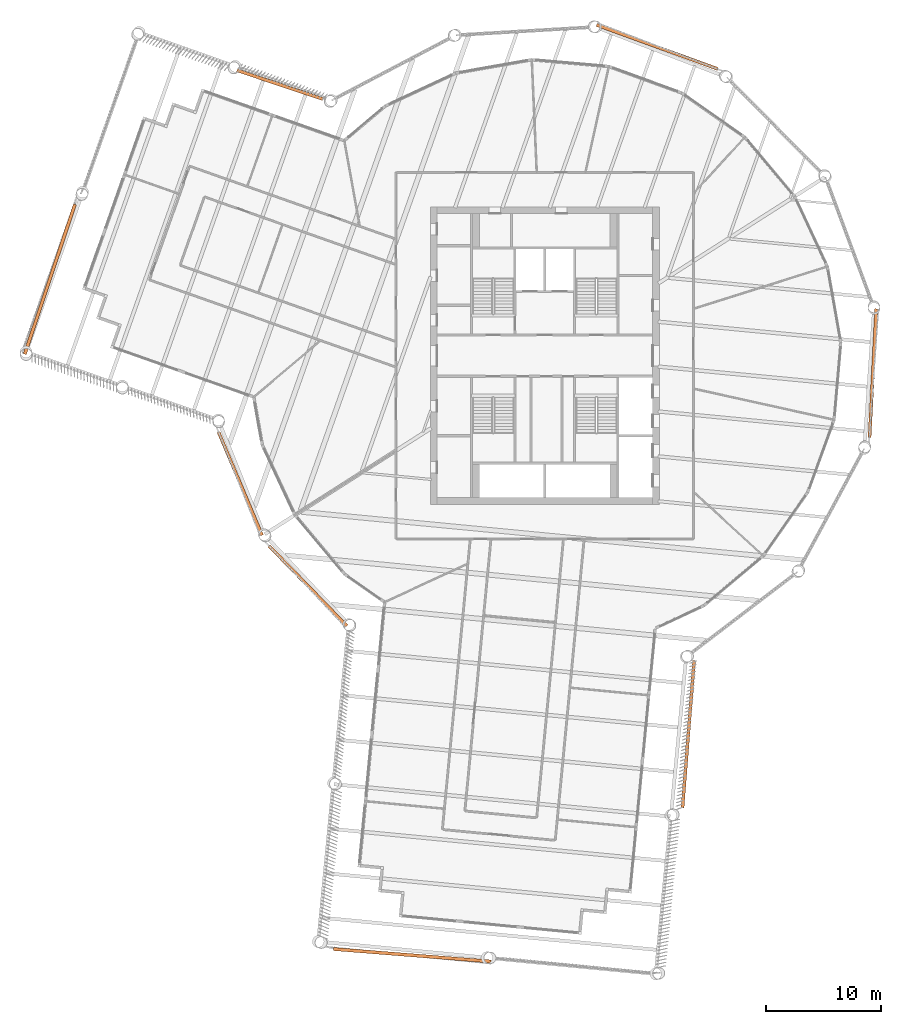
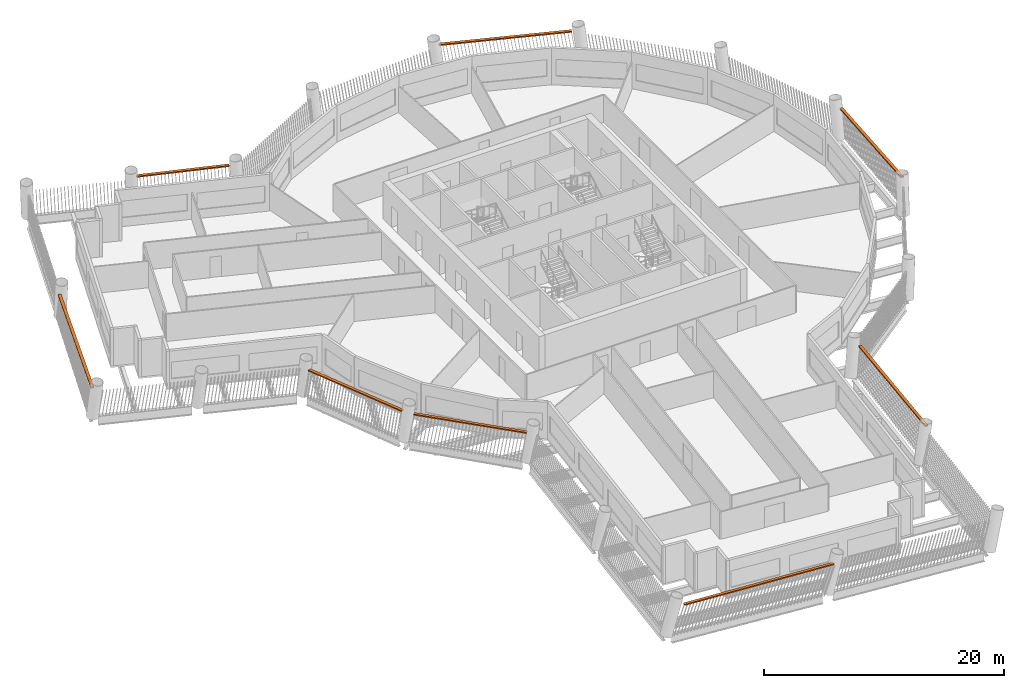
# One storey, part 15 of 15: 8 proxies.
"""IFC4 building model written with IfcOpenShell, lengths in metres."""

import ifcopenshell
import ifcopenshell.guid

model = None  # the IFC model being written
_history = None  # IfcOwnerHistory: only IFC2X3 demands one
_inside = {}  # id of a spatial element -> (the spatial element, [elements in it])
_under = {}  # id of a project, library or spatial element -> (it, [spatial elements below it])
_declared = {}  # id of a project -> (the project, [libraries it declares])
_typed = {}  # id of a type object -> (the type object, [elements of that type])
_made_of = {}  # id of a material, layer set ... -> (it, [elements and type objects made of it])


def new_model(schema):
    """Start an empty IFC model of exactly this schema.

    Asked for "IFC4X3", IfcOpenShell would pick the latest addendum, in which some entities
    have other attributes; the version numbers below select the first issue.
    IFC2X3 requires an IfcOwnerHistory on every rooted entity: one is made here for all.
    """
    global model, _history
    if schema == "IFC4X3":
        model = ifcopenshell.file(schema_version=(4, 3, 0, 0))
    else:
        model = ifcopenshell.file(schema=schema)
    _inside.clear()
    _under.clear()
    _declared.clear()
    _typed.clear()
    _made_of.clear()
    _history = None
    if model.schema == "IFC2X3":
        org = make("IfcOrganization", Name="unknown")
        user = make(
            "IfcPersonAndOrganization",
            ThePerson=make("IfcPerson", FamilyName="unknown"),
            TheOrganization=org,
        )
        app = make(
            "IfcApplication",
            ApplicationDeveloper=org,
            Version="unknown",
            ApplicationFullName="unknown",
            ApplicationIdentifier="unknown",
        )
        _history = make(
            "IfcOwnerHistory",
            OwningUser=user,
            OwningApplication=app,
            ChangeAction="ADDED",
            CreationDate=0,
        )
    return model


def make(cls, **values):
    """One entity of the class cls with the attributes given. An attribute that is None is left unset."""
    return model.create_entity(
        cls, **{name: value for name, value in values.items() if value is not None}
    )


def rooted(cls, **values):
    """An entity with a GlobalId (a new one), such as an element, a storey or a relation."""
    return make(cls, GlobalId=ifcopenshell.guid.new(), OwnerHistory=_history, **values)


def si_unit(unit_type, name, prefix=None):
    """IfcSIUnit, for example si_unit("LENGTHUNIT", "METRE", prefix="MILLI")."""
    return make("IfcSIUnit", UnitType=unit_type, Prefix=prefix, Name=name)


def assignment(units):
    """IfcUnitAssignment: the units of a project."""
    return None if units is None else make("IfcUnitAssignment", Units=units)


def point(xyz):
    """IfcCartesianPoint."""
    return None if xyz is None else make("IfcCartesianPoint", Coordinates=xyz)


def direction(xyz):
    """IfcDirection."""
    return None if xyz is None else make("IfcDirection", DirectionRatios=xyz)


def frame(location, z_axis=None, x_axis=None):
    """IfcAxis2Placement3D, a coordinate frame: its origin and axes. An axis left out is left unset."""
    return make(
        "IfcAxis2Placement3D",
        Location=point(location),
        Axis=direction(z_axis),
        RefDirection=direction(x_axis),
    )


def frame_2d(location, x_axis=None):
    """IfcAxis2Placement2D, a coordinate frame in the plane: its origin and x axis."""
    return make(
        "IfcAxis2Placement2D", Location=point(location), RefDirection=direction(x_axis)
    )


def origin():
    """The frame at (0, 0, 0) with its axes left unset."""
    return frame((0.0, 0.0, 0.0))


def origin_2d():
    """The frame at (0, 0) in the plane with its x axis left unset."""
    return frame_2d((0.0, 0.0))


def place(relative_to, where):
    """IfcLocalPlacement: puts the frame where relative to a parent placement (None: the world)."""
    return make(
        "IfcLocalPlacement", PlacementRelTo=relative_to, RelativePlacement=where
    )


def context(
    kind, dimensions, precision=None, world=None, true_north=None, identifier=None
):
    """IfcGeometricRepresentationContext, for example the 3D "Model" context."""
    return make(
        "IfcGeometricRepresentationContext",
        ContextIdentifier=identifier,
        ContextType=kind,
        CoordinateSpaceDimension=dimensions,
        Precision=precision,
        WorldCoordinateSystem=world,
        TrueNorth=true_north,
    )


def subcontext(parent, identifier, kind, view, scale=None):
    """IfcGeometricRepresentationSubContext, for example "Body" below "Model"."""
    return make(
        "IfcGeometricRepresentationSubContext",
        ContextIdentifier=identifier,
        ContextType=kind,
        ParentContext=parent,
        TargetScale=scale,
        TargetView=view,
    )


def project(units=None, contexts=None):
    """IfcProject with its units and contexts."""
    return rooted(
        "IfcProject",
        Name="project",
        RepresentationContexts=contexts,
        UnitsInContext=assignment(units),
    )


def spatial(cls, under=None, at=None, **own):
    """A site, building, storey or space (cls), placed at a placement, below another one or the project."""
    s = rooted(cls, ObjectPlacement=at, **own)
    if under is not None:
        _under.setdefault(under.id(), (under, []))[1].append(s)
    return s


def profile(cls, at=None, kind="AREA", **sizes):
    """A parametric profile (cls). Its sizes go by their IFC names, for example OverallWidth=200.0."""
    return make(cls, ProfileType=kind, Position=at, **sizes)


def rectangle(**sizes):
    """IfcRectangleProfileDef."""
    return profile("IfcRectangleProfileDef", **sizes)


def extrude(swept, where, along, depth):
    """IfcExtrudedAreaSolid: the profile swept, set in the frame where, extruded along a direction by depth."""
    return make(
        "IfcExtrudedAreaSolid",
        SweptArea=swept,
        Position=where,
        ExtrudedDirection=direction(along),
        Depth=depth,
    )


def shape(context_of_items, identifier, shape_type, items):
    """IfcShapeRepresentation: the items that make up one representation, for example the "Body"."""
    return make(
        "IfcShapeRepresentation",
        ContextOfItems=context_of_items,
        RepresentationIdentifier=identifier,
        RepresentationType=shape_type,
        Items=items,
    )


def material(Name=None, Category=None):
    """IfcMaterial."""
    return make("IfcMaterial", Name=Name, Category=Category)


def made_of(thing, what):
    """Note that an element or type object is made of a material, layer set ...; save() writes the relation."""
    if what is not None:
        _made_of.setdefault(what.id(), (what, []))[1].append(thing)
    return thing


def type_object(cls, material=None, **own):
    """A type object (cls), such as IfcWallType, which elements share."""
    return made_of(rooted(cls, **own), material)


def element(
    cls,
    number,
    at=None,
    inside=None,
    cuts=None,
    type_object=None,
    material=None,
    context=None,
    identifier="Body",
    shape_type=None,
    held_by="IfcProductDefinitionShape",
    body=None,
    shapes=None,
    **own,
):
    """One element of the class cls, such as IfcWall. Its Tag is "e" and its number.

    at: its placement. inside: the storey or other place that contains it. cuts: it is an
    opening in that element (IfcRelVoidsElement). A single representation is given by context,
    identifier, shape_type and body (its items); several are given by shapes. held_by: the class
    of the entity that holds the representations. save() writes the other relations.
    """
    e = rooted(cls, Tag="e%d" % number, ObjectPlacement=at, **own)
    if body is not None:
        shapes = [shape(context, identifier, shape_type, body)]
    if shapes is not None:
        e.Representation = make(held_by, Representations=shapes)
    if inside is not None:
        _inside.setdefault(inside.id(), (inside, []))[1].append(e)
    if cuts is not None:
        rooted(
            "IfcRelVoidsElement", RelatingBuildingElement=cuts, RelatedOpeningElement=e
        )
    if type_object is not None:
        _typed.setdefault(type_object.id(), (type_object, []))[1].append(e)
    return made_of(e, material)


def aggregate(whole, parts):
    """IfcRelAggregates: a whole, such as a stair, and the parts it consists of."""
    return rooted("IfcRelAggregates", RelatingObject=whole, RelatedObjects=parts)


def save(model, path):
    """Write the relations noted so far, then the file.

    IfcRelAggregates (storeys below a building ...), IfcRelContainedInSpatialStructure (elements
    in a storey), IfcRelDefinesByType, IfcRelAssociatesMaterial and IfcRelDeclares: one each for
    every whole, place, type object, material and project.
    """
    for whole, parts in _under.values():
        aggregate(whole, parts)
    for where, things in _inside.values():
        rooted(
            "IfcRelContainedInSpatialStructure",
            RelatedElements=things,
            RelatingStructure=where,
        )
    for kind, things in _typed.values():
        rooted("IfcRelDefinesByType", RelatedObjects=things, RelatingType=kind)
    for what, things in _made_of.values():
        rooted("IfcRelAssociatesMaterial", RelatedObjects=things, RelatingMaterial=what)
    for by, libraries in _declared.values():
        rooted("IfcRelDeclares", RelatingContext=by, RelatedDefinitions=libraries)
    model.write(path)


model = new_model("IFC4")

# Units and contexts
model_context = context("Model", 3, precision=1e-05, world=origin(), true_north=direction((0.0, 1.0)))
body_context = subcontext(model_context, "Body", "Model", "MODEL_VIEW")
ifc_project = project(units=[si_unit("LENGTHUNIT", "METRE"), si_unit("AREAUNIT", "SQUARE_METRE"), si_unit("VOLUMEUNIT", "CUBIC_METRE"), si_unit("PLANEANGLEUNIT", "RADIAN"), si_unit("MASSUNIT", "GRAM", prefix="KILO")], contexts=[model_context])

# Site, building, storey
site_placement = place(None, origin())
site = spatial("IfcSite", under=ifc_project, at=site_placement, CompositionType="ELEMENT")
building_placement = place(site_placement, origin())
building = spatial("IfcBuilding", under=site, at=building_placement, Name="Tarsis Ring Headquarters", CompositionType="ELEMENT")
storey_placement = place(building_placement, frame((0.0, 0.0, 204.300048828125)))
storey = spatial("IfcBuildingStorey", under=building, at=storey_placement, Name="L47", CompositionType="ELEMENT", Elevation=204.300048828125)

# Proxies
ifc_material = material(Name="Structural steel S355", Category="steel")
building_element_proxy_type = type_object("IfcBuildingElementProxyType", Name="Screen bracket plate", PredefinedType="USERDEFINED", material=ifc_material)
proxy_1_placement = place(storey_placement, frame((-20.687744140625, -20.093505859375, 2.949951171875), z_axis=(0.0, 0.0, 1.0), x_axis=(0.696726836719, -0.717336542354, 0.0)))
element("IfcBuildingElementProxy", 1, at=proxy_1_placement, inside=storey, type_object=building_element_proxy_type, Name="Screen bracket L47-00", ObjectType="Bracket", PredefinedType="USERDEFINED", context=body_context, shape_type="SweptSolid", body=[
    extrude(rectangle(XDim=9.771728515625, YDim=0.280029296875, at=origin_2d()), origin(), (0.0, 0.0, 1.0), 0.1201171875),
])
proxy_2_placement = place(storey_placement, frame((-11.561279296875, -52.3466796875, 2.949951171875), z_axis=(0.0, 0.0, 1.0), x_axis=(0.996889884232, -0.078807098137, 0.0)))
element("IfcBuildingElementProxy", 2, at=proxy_2_placement, inside=storey, type_object=building_element_proxy_type, Name="Screen bracket L47-03", ObjectType="Bracket", PredefinedType="USERDEFINED", context=body_context, shape_type="SweptSolid", body=[
    extrude(rectangle(XDim=13.800048828125, YDim=0.280029296875, at=origin_2d()), origin(), (0.0, 0.0, 1.0), 0.1201171875),
])
proxy_3_placement = place(storey_placement, frame((12.530517578125, -33.036865234375, 2.949951171875), z_axis=(0.0, 0.0, 1.0), x_axis=(0.078807167733, 0.99688987873, 0.0)))
element("IfcBuildingElementProxy", 3, at=proxy_3_placement, inside=storey, type_object=building_element_proxy_type, Name="Screen bracket L47-06", ObjectType="Bracket", PredefinedType="USERDEFINED", context=body_context, shape_type="SweptSolid", body=[
    extrude(rectangle(XDim=12.90234375, YDim=0.280029296875, at=origin_2d()), origin(), (0.0, 0.0, 1.0), 0.1201171875),
])
for number, where, z_axis, x_axis, name in (
    (4, (28.650390625, -1.518310546875, 2.949951171875), (0.0, 0.0, 1.0), (0.052924014193, 0.998598542319, 0.0), "Screen bracket L47-09"),
    (5, (9.815673828125, 26.959228515625, 2.949951171875), (0.0, 0.0, 1.0), (-0.939655264787, 0.342122760655, 0.0), "Screen bracket L47-12"),
):
    element("IfcBuildingElementProxy", number, at=place(storey_placement, frame(where, z_axis=z_axis, x_axis=x_axis)), inside=storey, type_object=building_element_proxy_type, Name=name, ObjectType="Bracket", PredefinedType="USERDEFINED", context=body_context, shape_type="SweptSolid", body=[
        extrude(rectangle(XDim=11.248779296875, YDim=0.280029296875, at=origin_2d()), origin(), (0.0, 0.0, 1.0), 0.1201171875),
    ])
proxy_4_placement = place(storey_placement, frame((-23.126953125, 23.66650390625, 2.949951171875), z_axis=(0.0, 0.0, 1.0), x_axis=(-0.948212887108, 0.317635515525, 0.0)))
element("IfcBuildingElementProxy", 6, at=proxy_4_placement, inside=storey, type_object=building_element_proxy_type, Name="Screen bracket L47-15", ObjectType="Bracket", PredefinedType="USERDEFINED", context=body_context, shape_type="SweptSolid", body=[
    extrude(rectangle(XDim=7.90234375, YDim=0.280029296875, at=origin_2d()), origin(), (0.0, 0.0, 1.0), 0.1201171875),
])
proxy_5_placement = place(storey_placement, frame((-43.213623046875, 6.671630859375, 2.949951171875), z_axis=(0.0, 0.0, 1.0), x_axis=(-0.31763568102, -0.94821283167, 0.0)))
element("IfcBuildingElementProxy", 7, at=proxy_5_placement, inside=storey, type_object=building_element_proxy_type, Name="Screen bracket L47-18", ObjectType="Bracket", PredefinedType="USERDEFINED", context=body_context, shape_type="SweptSolid", body=[
    extrude(rectangle(XDim=13.800048828125, YDim=0.280029296875, at=origin_2d()), origin(), (0.0, 0.0, 1.0), 0.1201171875),
])
proxy_6_placement = place(storey_placement, frame((-26.58740234375, -11.173583984375, 2.949951171875), z_axis=(0.0, 0.0, 1.0), x_axis=(0.387435442953, -0.921896836714, 0.0)))
element("IfcBuildingElementProxy", 8, at=proxy_6_placement, inside=storey, type_object=building_element_proxy_type, Name="Screen bracket L47-21", ObjectType="Bracket", PredefinedType="USERDEFINED", context=body_context, shape_type="SweptSolid", body=[
    extrude(rectangle(XDim=9.771728515625, YDim=0.280029296875, at=origin_2d()), origin(), (0.0, 0.0, 1.0), 0.1201171875),
])

save(model, "model.ifc")
